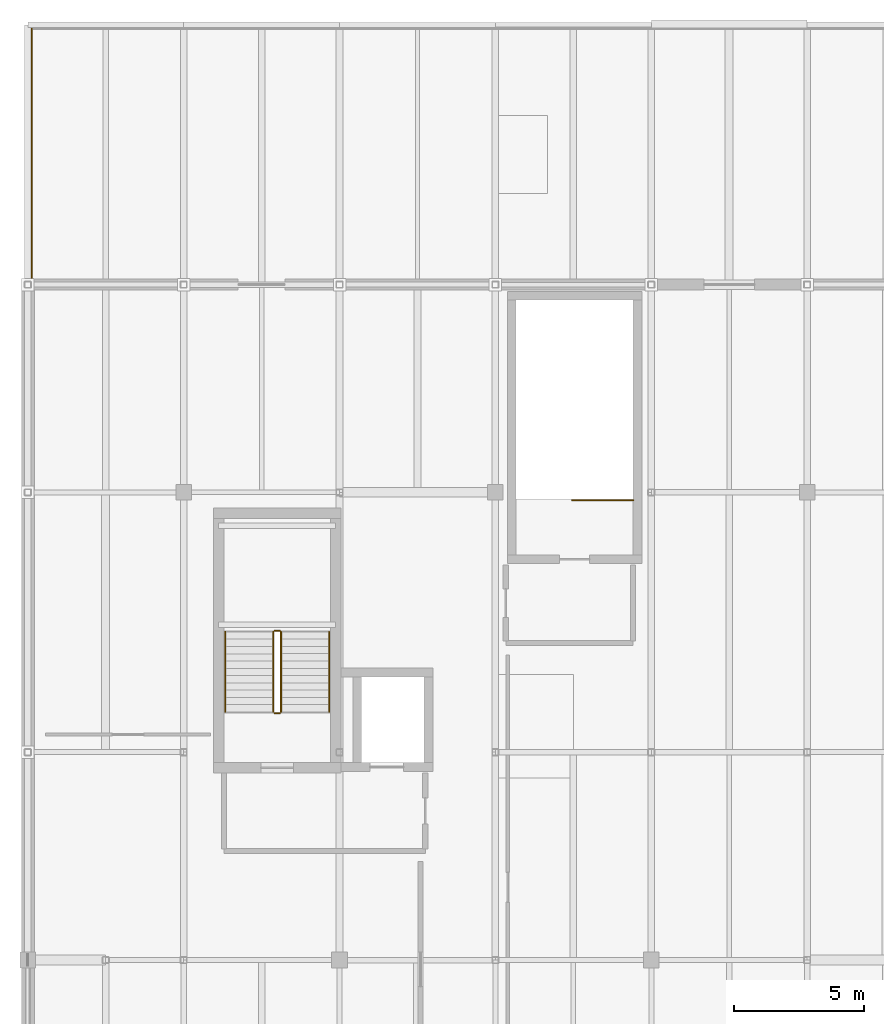
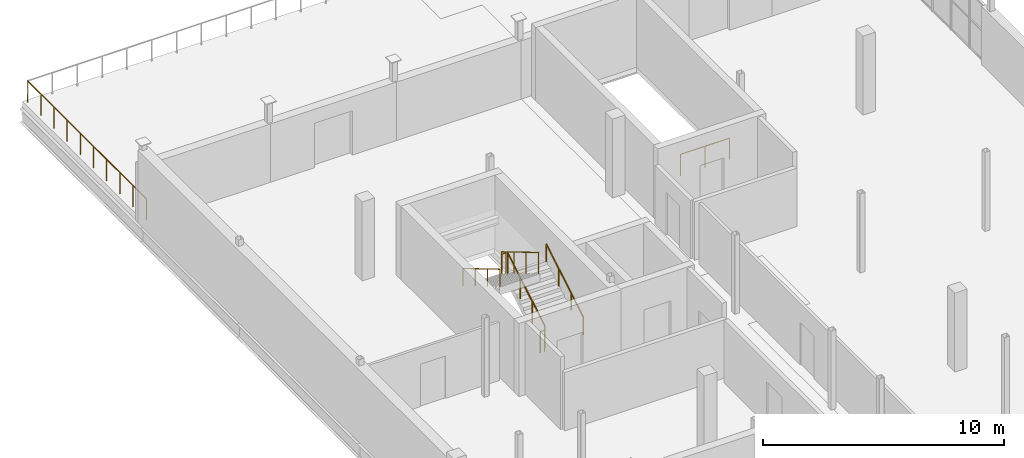
# One storey, part 34 of 35: 8 railings.
"""IFC4 building model written with IfcOpenShell, lengths in metres."""

from ifc_helpers import new_model, si_unit, direction, frame, origin, origin_2d, place, context, subcontext, project, spatial, circle, extrude, material, type_object, element, save


model = new_model("IFC4")

# Units and contexts
model_context = context("Model", 3, precision=1e-05, world=origin(), true_north=direction((0.0, 1.0)))
body_context = subcontext(model_context, "Body", "Model", "MODEL_VIEW")
ifc_project = project(units=[si_unit("LENGTHUNIT", "METRE"), si_unit("AREAUNIT", "SQUARE_METRE"), si_unit("VOLUMEUNIT", "CUBIC_METRE"), si_unit("PLANEANGLEUNIT", "RADIAN"), si_unit("MASSUNIT", "GRAM", prefix="KILO")], contexts=[model_context])

# Site, building, storey
site_placement = place(None, origin())
site = spatial("IfcSite", under=ifc_project, at=site_placement, CompositionType="ELEMENT")
building_placement = place(site_placement, origin())
building = spatial("IfcBuilding", under=site, at=building_placement, Name="Verrall Gate Interchange", CompositionType="ELEMENT")
storey_placement = place(building_placement, frame((0.0, 0.0, 15.39990234375)))
storey = spatial("IfcBuildingStorey", under=building, at=storey_placement, Name="L04", CompositionType="ELEMENT", Elevation=15.39990234375)

# Railings
ifc_material_1 = material(Name="Architectural Bronze Anodized Aluminium Guardrail Assembly", Category="aluminium")
railing_type_1 = type_object("IfcRailingType", Name="GR-01 Roof Terrace Guardrail 1100", PredefinedType="GUARDRAIL", material=ifc_material_1)
railing_1_placement = place(storey_placement, frame((0.14990234375, 74.0, 0.0)))
element("IfcRailing", 1, at=railing_1_placement, inside=storey, type_object=railing_type_1, Name="L04 Planted Roof Garden Guardrail 07", PredefinedType="GUARDRAIL", context=body_context, shape_type="SweptSolid", body=[
    extrude(circle(Radius=0.02392578125, at=origin_2d()), frame((0.0, 0.0, 1.076171875), z_axis=(0.0, 1.0, 0.0), x_axis=(-1.0, 0.0, 0.0)), (0.0, 0.0, 1.0), 9.85009765625),
    extrude(circle(Radius=0.02099609375, at=origin_2d()), origin(), (0.0, 0.0, 1.0), 1.052001953125),
    extrude(circle(Radius=0.02099609375, at=origin_2d()), frame((0.0, 1.094482421875, 0.0)), (0.0, 0.0, 1.0), 1.052001953125),
    extrude(circle(Radius=0.02099609375, at=origin_2d()), frame((0.0, 2.18896484375, 0.0)), (0.0, 0.0, 1.0), 1.052001953125),
    extrude(circle(Radius=0.02099609375, at=origin_2d()), frame((0.0, 3.283447265625, 0.0)), (0.0, 0.0, 1.0), 1.052001953125),
    extrude(circle(Radius=0.02099609375, at=origin_2d()), frame((0.0, 4.3779296875, 0.0)), (0.0, 0.0, 1.0), 1.052001953125),
    extrude(circle(Radius=0.02099609375, at=origin_2d()), frame((0.0, 5.47216796875, 0.0)), (0.0, 0.0, 1.0), 1.052001953125),
    extrude(circle(Radius=0.02099609375, at=origin_2d()), frame((0.0, 6.566650390625, 0.0)), (0.0, 0.0, 1.0), 1.052001953125),
    extrude(circle(Radius=0.02099609375, at=origin_2d()), frame((0.0, 7.6611328125, 0.0)), (0.0, 0.0, 1.0), 1.052001953125),
    extrude(circle(Radius=0.02099609375, at=origin_2d()), frame((0.0, 8.755615234375, 0.0)), (0.0, 0.0, 1.0), 1.052001953125),
    extrude(circle(Radius=0.02099609375, at=origin_2d()), frame((0.0, 9.85009765625, 0.0)), (0.0, 0.0, 1.0), 1.052001953125),
])
ifc_material_2 = material(Name="Brushed Stainless-Steel Guardrail and Handrail System", Category="steel")
railing_type_2 = type_object("IfcRailingType", Name="GR-02 Interior Atrium and Stair Guardrail 1100", PredefinedType="GUARDRAIL", material=ifc_material_2)
railing_2_placement = place(storey_placement, frame((9.75, 57.550048828125, 0.166748046875)))
element("IfcRailing", 2, at=railing_2_placement, inside=storey, type_object=railing_type_2, Name="L04 ST-03 stair guard 1", PredefinedType="GUARDRAIL", context=body_context, shape_type="SweptSolid", body=[
    extrude(circle(Radius=0.02392578125, at=origin_2d()), frame((0.0, 0.0, 1.076171875), z_axis=(0.0, 0.859290745958, 0.51148745235), x_axis=(-1.0, 0.0, 0.0)), (0.0, 0.0, 1.0), 3.584228515625),
    extrude(circle(Radius=0.02099609375, at=origin_2d()), origin(), (0.0, 0.0, 1.0), 1.052001953125),
    extrude(circle(Radius=0.02099609375, at=origin_2d()), frame((0.0, 1.026611328125, 0.611083984375)), (0.0, 0.0, 1.0), 1.052001953125),
    extrude(circle(Radius=0.02099609375, at=origin_2d()), frame((0.0, 2.05322265625, 1.22216796875)), (0.0, 0.0, 1.0), 1.052001953125),
    extrude(circle(Radius=0.02099609375, at=origin_2d()), frame((0.0, 3.079833984375, 1.833251953125)), (0.0, 0.0, 1.0), 1.052001953125),
])
railing_3_placement = place(storey_placement, frame((9.699951171875, 60.679931640625, 2.0)))
element("IfcRailing", 3, at=railing_3_placement, inside=storey, type_object=railing_type_2, Name="L04 ST-03 stair guard 2", PredefinedType="GUARDRAIL", context=body_context, shape_type="SweptSolid", body=[
    extrude(circle(Radius=0.02392578125, at=origin_2d()), frame((0.0, 0.0, 1.076171875), z_axis=(-1.0, 0.0, 0.0), x_axis=(0.0, -1.0, 0.0)), (0.0, 0.0, 1.0), 0.199951171875),
    extrude(circle(Radius=0.02099609375, at=origin_2d()), origin(), (0.0, 0.0, 1.0), 1.052001953125),
    extrude(circle(Radius=0.02099609375, at=origin_2d()), frame((-0.199951171875, 0.0, 0.0)), (0.0, 0.0, 1.0), 1.052001953125),
])
railing_4_placement = place(storey_placement, frame((9.449951171875, 60.6298828125, 2.166748046875)))
element("IfcRailing", 4, at=railing_4_placement, inside=storey, type_object=railing_type_2, Name="L04 ST-03 stair guard 3", PredefinedType="GUARDRAIL", context=body_context, shape_type="SweptSolid", body=[
    extrude(circle(Radius=0.02392578125, at=origin_2d()), frame((0.0, 0.0, 1.076171875), z_axis=(0.0, -0.859290745958, 0.51148745235), x_axis=(1.0, 0.0, 0.0)), (0.0, 0.0, 1.0), 3.584228515625),
    extrude(circle(Radius=0.02099609375, at=origin_2d()), origin(), (0.0, 0.0, 1.0), 1.052001953125),
    extrude(circle(Radius=0.02099609375, at=origin_2d()), frame((0.0, -1.026611328125, 0.611083984375)), (0.0, 0.0, 1.0), 1.052001953125),
    extrude(circle(Radius=0.02099609375, at=origin_2d()), frame((0.0, -2.05322265625, 1.22216796875)), (0.0, 0.0, 1.0), 1.052001953125),
    extrude(circle(Radius=0.02099609375, at=origin_2d()), frame((0.0, -3.079833984375, 1.833251953125)), (0.0, 0.0, 1.0), 1.052001953125),
])
railing_5_placement = place(storey_placement, frame((9.699951171875, 57.5, 0.0)))
element("IfcRailing", 5, at=railing_5_placement, inside=storey, type_object=railing_type_2, Name="L04 ST-03 stair guard 4", PredefinedType="GUARDRAIL", context=body_context, shape_type="SweptSolid", body=[
    extrude(circle(Radius=0.02392578125, at=origin_2d()), frame((0.0, 0.0, 1.076171875), z_axis=(-1.0, 0.0, 0.0), x_axis=(0.0, -1.0, 0.0)), (0.0, 0.0, 1.0), 0.199951171875),
    extrude(circle(Radius=0.02099609375, at=origin_2d()), origin(), (0.0, 0.0, 1.0), 1.052001953125),
    extrude(circle(Radius=0.02099609375, at=origin_2d()), frame((-0.199951171875, 0.0, 0.0)), (0.0, 0.0, 1.0), 1.052001953125),
])
railing_6_placement = place(storey_placement, frame((23.300048828125, 65.699951171875, 0.0)))
element("IfcRailing", 6, at=railing_6_placement, inside=storey, type_object=railing_type_2, Name="L04 ST-04 top well guard 1", PredefinedType="GUARDRAIL", context=body_context, shape_type="SweptSolid", body=[
    extrude(circle(Radius=0.02392578125, at=origin_2d()), frame((0.0, 0.0, 1.076171875), z_axis=(-1.0, 0.0, 0.0), x_axis=(0.0, -1.0, 0.0)), (0.0, 0.0, 1.0), 2.35009765625),
    extrude(circle(Radius=0.02099609375, at=origin_2d()), origin(), (0.0, 0.0, 1.0), 1.052001953125),
    extrude(circle(Radius=0.02099609375, at=origin_2d()), frame((-1.175048828125, 0.0, 0.0)), (0.0, 0.0, 1.0), 1.052001953125),
    extrude(circle(Radius=0.02099609375, at=origin_2d()), frame((-2.35009765625, 0.0, 0.0)), (0.0, 0.0, 1.0), 1.052001953125),
])
ifc_material_3 = material(Name="Brushed Stainless-Steel Guardrail and Handrail System", Category="steel")
railing_type_3 = type_object("IfcRailingType", Name="HR-01 Stair and Ramp Pitch-Line Handrail 920", PredefinedType="HANDRAIL", material=ifc_material_3)
railing_7_placement = place(storey_placement, frame((11.60009765625, 57.550048828125, 0.166748046875)))
element("IfcRailing", 7, at=railing_7_placement, inside=storey, type_object=railing_type_3, Name="L04 ST-03 stair handrail 1", PredefinedType="HANDRAIL", context=body_context, shape_type="SweptSolid", body=[
    extrude(circle(Radius=0.02392578125, at=origin_2d()), frame((0.0, 0.0, 0.8759765625), z_axis=(0.0, 0.859290745958, 0.51148745235), x_axis=(-1.0, 0.0, 0.0)), (0.0, 0.0, 1.0), 3.584228515625),
    extrude(circle(Radius=0.02099609375, at=origin_2d()), origin(), (0.0, 0.0, 1.0), 0.851806640625),
    extrude(circle(Radius=0.02099609375, at=origin_2d()), frame((0.0, 1.026611328125, 0.611083984375)), (0.0, 0.0, 1.0), 0.851806640625),
    extrude(circle(Radius=0.02099609375, at=origin_2d()), frame((0.0, 2.05322265625, 1.22216796875)), (0.0, 0.0, 1.0), 0.851806640625),
    extrude(circle(Radius=0.02099609375, at=origin_2d()), frame((0.0, 3.079833984375, 1.833251953125)), (0.0, 0.0, 1.0), 0.851806640625),
])
railing_8_placement = place(storey_placement, frame((7.60009765625, 60.6298828125, 2.166748046875)))
element("IfcRailing", 8, at=railing_8_placement, inside=storey, type_object=railing_type_3, Name="L04 ST-03 stair handrail 2", PredefinedType="HANDRAIL", context=body_context, shape_type="SweptSolid", body=[
    extrude(circle(Radius=0.02392578125, at=origin_2d()), frame((0.0, 0.0, 0.8759765625), z_axis=(0.0, -0.859290745958, 0.51148745235), x_axis=(1.0, 0.0, 0.0)), (0.0, 0.0, 1.0), 3.584228515625),
    extrude(circle(Radius=0.02099609375, at=origin_2d()), origin(), (0.0, 0.0, 1.0), 0.851806640625),
    extrude(circle(Radius=0.02099609375, at=origin_2d()), frame((0.0, -1.026611328125, 0.611083984375)), (0.0, 0.0, 1.0), 0.851806640625),
    extrude(circle(Radius=0.02099609375, at=origin_2d()), frame((0.0, -2.05322265625, 1.22216796875)), (0.0, 0.0, 1.0), 0.851806640625),
    extrude(circle(Radius=0.02099609375, at=origin_2d()), frame((0.0, -3.079833984375, 1.833251953125)), (0.0, 0.0, 1.0), 0.851806640625),
])

save(model, "model.ifc")
